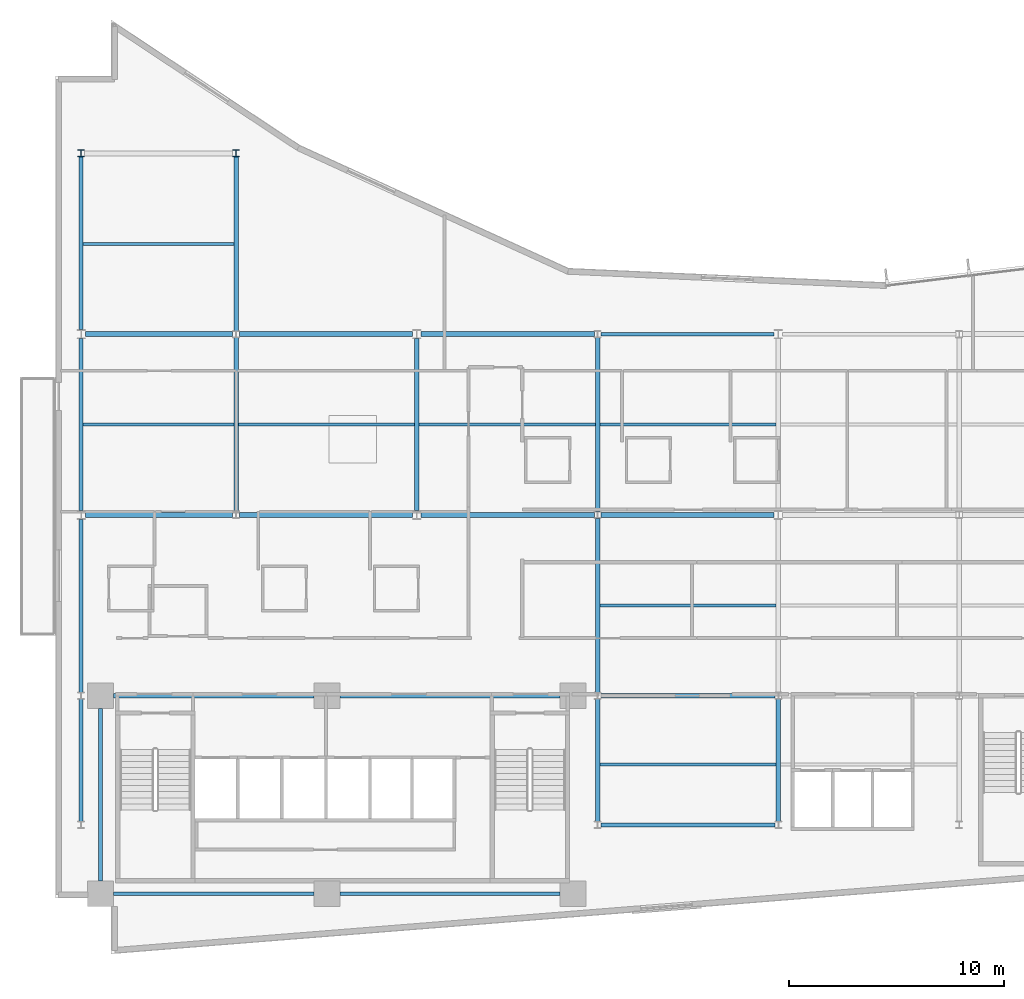
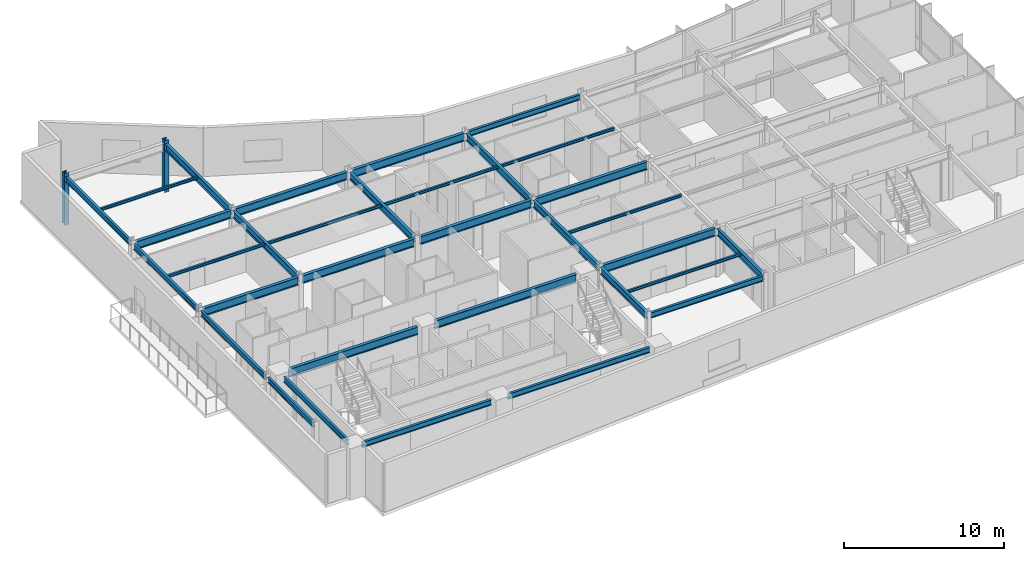
# One storey, part 3 of 19: 33 beams, 2 columns.
"""IFC4 building model written with IfcOpenShell, lengths in metres."""

import ifcopenshell
import ifcopenshell.guid

model = None  # the IFC model being written
_history = None  # IfcOwnerHistory: only IFC2X3 demands one
_inside = {}  # id of a spatial element -> (the spatial element, [elements in it])
_under = {}  # id of a project, library or spatial element -> (it, [spatial elements below it])
_declared = {}  # id of a project -> (the project, [libraries it declares])
_typed = {}  # id of a type object -> (the type object, [elements of that type])
_made_of = {}  # id of a material, layer set ... -> (it, [elements and type objects made of it])


def new_model(schema):
    """Start an empty IFC model of exactly this schema.

    Asked for "IFC4X3", IfcOpenShell would pick the latest addendum, in which some entities
    have other attributes; the version numbers below select the first issue.
    IFC2X3 requires an IfcOwnerHistory on every rooted entity: one is made here for all.
    """
    global model, _history
    if schema == "IFC4X3":
        model = ifcopenshell.file(schema_version=(4, 3, 0, 0))
    else:
        model = ifcopenshell.file(schema=schema)
    _inside.clear()
    _under.clear()
    _declared.clear()
    _typed.clear()
    _made_of.clear()
    _history = None
    if model.schema == "IFC2X3":
        org = make("IfcOrganization", Name="unknown")
        user = make(
            "IfcPersonAndOrganization",
            ThePerson=make("IfcPerson", FamilyName="unknown"),
            TheOrganization=org,
        )
        app = make(
            "IfcApplication",
            ApplicationDeveloper=org,
            Version="unknown",
            ApplicationFullName="unknown",
            ApplicationIdentifier="unknown",
        )
        _history = make(
            "IfcOwnerHistory",
            OwningUser=user,
            OwningApplication=app,
            ChangeAction="ADDED",
            CreationDate=0,
        )
    return model


def make(cls, **values):
    """One entity of the class cls with the attributes given. An attribute that is None is left unset."""
    return model.create_entity(
        cls, **{name: value for name, value in values.items() if value is not None}
    )


def rooted(cls, **values):
    """An entity with a GlobalId (a new one), such as an element, a storey or a relation."""
    return make(cls, GlobalId=ifcopenshell.guid.new(), OwnerHistory=_history, **values)


def si_unit(unit_type, name, prefix=None):
    """IfcSIUnit, for example si_unit("LENGTHUNIT", "METRE", prefix="MILLI")."""
    return make("IfcSIUnit", UnitType=unit_type, Prefix=prefix, Name=name)


def assignment(units):
    """IfcUnitAssignment: the units of a project."""
    return None if units is None else make("IfcUnitAssignment", Units=units)


def point(xyz):
    """IfcCartesianPoint."""
    return None if xyz is None else make("IfcCartesianPoint", Coordinates=xyz)


def direction(xyz):
    """IfcDirection."""
    return None if xyz is None else make("IfcDirection", DirectionRatios=xyz)


def frame(location, z_axis=None, x_axis=None):
    """IfcAxis2Placement3D, a coordinate frame: its origin and axes. An axis left out is left unset."""
    return make(
        "IfcAxis2Placement3D",
        Location=point(location),
        Axis=direction(z_axis),
        RefDirection=direction(x_axis),
    )


def frame_2d(location, x_axis=None):
    """IfcAxis2Placement2D, a coordinate frame in the plane: its origin and x axis."""
    return make(
        "IfcAxis2Placement2D", Location=point(location), RefDirection=direction(x_axis)
    )


def origin():
    """The frame at (0, 0, 0) with its axes left unset."""
    return frame((0.0, 0.0, 0.0))


def origin_2d():
    """The frame at (0, 0) in the plane with its x axis left unset."""
    return frame_2d((0.0, 0.0))


def place(relative_to, where):
    """IfcLocalPlacement: puts the frame where relative to a parent placement (None: the world)."""
    return make(
        "IfcLocalPlacement", PlacementRelTo=relative_to, RelativePlacement=where
    )


def context(
    kind, dimensions, precision=None, world=None, true_north=None, identifier=None
):
    """IfcGeometricRepresentationContext, for example the 3D "Model" context."""
    return make(
        "IfcGeometricRepresentationContext",
        ContextIdentifier=identifier,
        ContextType=kind,
        CoordinateSpaceDimension=dimensions,
        Precision=precision,
        WorldCoordinateSystem=world,
        TrueNorth=true_north,
    )


def subcontext(parent, identifier, kind, view, scale=None):
    """IfcGeometricRepresentationSubContext, for example "Body" below "Model"."""
    return make(
        "IfcGeometricRepresentationSubContext",
        ContextIdentifier=identifier,
        ContextType=kind,
        ParentContext=parent,
        TargetScale=scale,
        TargetView=view,
    )


def project(units=None, contexts=None):
    """IfcProject with its units and contexts."""
    return rooted(
        "IfcProject",
        Name="project",
        RepresentationContexts=contexts,
        UnitsInContext=assignment(units),
    )


def spatial(cls, under=None, at=None, **own):
    """A site, building, storey or space (cls), placed at a placement, below another one or the project."""
    s = rooted(cls, ObjectPlacement=at, **own)
    if under is not None:
        _under.setdefault(under.id(), (under, []))[1].append(s)
    return s


def profile(cls, at=None, kind="AREA", **sizes):
    """A parametric profile (cls). Its sizes go by their IFC names, for example OverallWidth=200.0."""
    return make(cls, ProfileType=kind, Position=at, **sizes)


def i_section(**sizes):
    """IfcIShapeProfileDef."""
    return profile("IfcIShapeProfileDef", **sizes)


def extrude(swept, where, along, depth):
    """IfcExtrudedAreaSolid: the profile swept, set in the frame where, extruded along a direction by depth."""
    return make(
        "IfcExtrudedAreaSolid",
        SweptArea=swept,
        Position=where,
        ExtrudedDirection=direction(along),
        Depth=depth,
    )


def shape(context_of_items, identifier, shape_type, items):
    """IfcShapeRepresentation: the items that make up one representation, for example the "Body"."""
    return make(
        "IfcShapeRepresentation",
        ContextOfItems=context_of_items,
        RepresentationIdentifier=identifier,
        RepresentationType=shape_type,
        Items=items,
    )


def material(Name=None, Category=None):
    """IfcMaterial."""
    return make("IfcMaterial", Name=Name, Category=Category)


def material_profile(
    of_material, cross_section, Name=None, Category=None, Priority=None
):
    """IfcMaterialProfile: a cross section and its material."""
    return make(
        "IfcMaterialProfile",
        Name=Name,
        Material=of_material,
        Profile=cross_section,
        Priority=Priority,
        Category=Category,
    )


def profile_set(profiles, Name=None, composite=None):
    """IfcMaterialProfileSet."""
    return make(
        "IfcMaterialProfileSet",
        Name=Name,
        MaterialProfiles=profiles,
        CompositeProfile=composite,
    )


def made_of(thing, what):
    """Note that an element or type object is made of a material, layer set ...; save() writes the relation."""
    if what is not None:
        _made_of.setdefault(what.id(), (what, []))[1].append(thing)
    return thing


def type_object(cls, material=None, **own):
    """A type object (cls), such as IfcWallType, which elements share."""
    return made_of(rooted(cls, **own), material)


def element(
    cls,
    number,
    at=None,
    inside=None,
    cuts=None,
    type_object=None,
    material=None,
    context=None,
    identifier="Body",
    shape_type=None,
    held_by="IfcProductDefinitionShape",
    body=None,
    shapes=None,
    **own,
):
    """One element of the class cls, such as IfcWall. Its Tag is "e" and its number.

    at: its placement. inside: the storey or other place that contains it. cuts: it is an
    opening in that element (IfcRelVoidsElement). A single representation is given by context,
    identifier, shape_type and body (its items); several are given by shapes. held_by: the class
    of the entity that holds the representations. save() writes the other relations.
    """
    e = rooted(cls, Tag="e%d" % number, ObjectPlacement=at, **own)
    if body is not None:
        shapes = [shape(context, identifier, shape_type, body)]
    if shapes is not None:
        e.Representation = make(held_by, Representations=shapes)
    if inside is not None:
        _inside.setdefault(inside.id(), (inside, []))[1].append(e)
    if cuts is not None:
        rooted(
            "IfcRelVoidsElement", RelatingBuildingElement=cuts, RelatedOpeningElement=e
        )
    if type_object is not None:
        _typed.setdefault(type_object.id(), (type_object, []))[1].append(e)
    return made_of(e, material)


def aggregate(whole, parts):
    """IfcRelAggregates: a whole, such as a stair, and the parts it consists of."""
    return rooted("IfcRelAggregates", RelatingObject=whole, RelatedObjects=parts)


def save(model, path):
    """Write the relations noted so far, then the file.

    IfcRelAggregates (storeys below a building ...), IfcRelContainedInSpatialStructure (elements
    in a storey), IfcRelDefinesByType, IfcRelAssociatesMaterial and IfcRelDeclares: one each for
    every whole, place, type object, material and project.
    """
    for whole, parts in _under.values():
        aggregate(whole, parts)
    for where, things in _inside.values():
        rooted(
            "IfcRelContainedInSpatialStructure",
            RelatedElements=things,
            RelatingStructure=where,
        )
    for kind, things in _typed.values():
        rooted("IfcRelDefinesByType", RelatedObjects=things, RelatingType=kind)
    for what, things in _made_of.values():
        rooted("IfcRelAssociatesMaterial", RelatedObjects=things, RelatingMaterial=what)
    for by, libraries in _declared.values():
        rooted("IfcRelDeclares", RelatingContext=by, RelatedDefinitions=libraries)
    model.write(path)


model = new_model("IFC4")

# Units and contexts
model_context = context("Model", 3, precision=1e-05, world=origin(), true_north=direction((0.0, 1.0)))
body_context = subcontext(model_context, "Body", "Model", "MODEL_VIEW")
ifc_project = project(units=[si_unit("LENGTHUNIT", "METRE"), si_unit("AREAUNIT", "SQUARE_METRE"), si_unit("VOLUMEUNIT", "CUBIC_METRE"), si_unit("PLANEANGLEUNIT", "RADIAN"), si_unit("MASSUNIT", "GRAM", prefix="KILO")], contexts=[model_context])

# Site, building, storey
site_placement = place(None, origin())
site = spatial("IfcSite", under=ifc_project, at=site_placement, CompositionType="ELEMENT")
building_placement = place(site_placement, origin())
building = spatial("IfcBuilding", under=site, at=building_placement, Name="Varnakote Quay Hospital", CompositionType="ELEMENT")
storey_placement = place(building_placement, frame((0.0, 0.0, 115.199951171875)))
storey = spatial("IfcBuildingStorey", under=building, at=storey_placement, Name="L28", CompositionType="ELEMENT", Elevation=115.199951171875)

# Columns
ifc_material_1 = material(Name="Structural steel AS/NZS 3679.1 Grade 350 L0 (fy 340 MPa)", Category="steel")
ifc_material_profile_1 = material_profile(ifc_material_1, i_section(OverallWidth=0.30908203125, OverallDepth=0.321044921875, WebThickness=0.013916015625, FlangeThickness=0.021728515625, FilletRadius=0.0166015625, at=origin_2d()), Name="310UC137")
ifc_profile_set_1 = profile_set([ifc_material_profile_1], Name="Structural steel AS/NZS 3679.1 Grade 350 L0 (fy 340 MPa)")
column_type = type_object("IfcColumnType", Name="COL-STL-310UC137", PredefinedType="COLUMN", material=ifc_profile_set_1)
for number, where, z_axis, x_axis, name in (
    (1, (1.199951171875, 37.199951171875, 0.0), (0.0, 0.0, 1.0), (1.0, 0.0, 0.0), "L28 Structural Column C-1-37"),
    (2, (8.39990234375, 37.199951171875, 0.0), (0.0, 0.0, 1.0), (1.0, 0.0, 0.0), "L28 Structural Column C-8-37"),
):
    element("IfcColumn", number, at=place(storey_placement, frame(where, z_axis=z_axis, x_axis=x_axis)), inside=storey, type_object=column_type, Name=name, PredefinedType="COLUMN", context=body_context, shape_type="SweptSolid", body=[
        extrude(i_section(OverallWidth=0.30908203125, OverallDepth=0.321044921875, WebThickness=0.013916015625, FlangeThickness=0.021728515625, FilletRadius=0.0166015625, at=origin_2d()), origin(), (0.0, 0.0, 1.0), 3.949951171875),
    ])

# Beams
ifc_material_2 = material(Name="Structural steel AS/NZS 3679.1 Grade 350 L0 (fy 340 MPa)", Category="steel")
ifc_material_profile_2 = material_profile(ifc_material_2, i_section(OverallWidth=0.208984375, OverallDepth=0.532958984375, WebThickness=0.01025390625, FlangeThickness=0.015625, FilletRadius=0.013916015625, at=origin_2d()), Name="530UB92.4")
ifc_profile_set_2 = profile_set([ifc_material_profile_2], Name="Structural steel AS/NZS 3679.1 Grade 350 L0 (fy 340 MPa)")
beam_type_1 = type_object("IfcBeamType", Name="BM-STL-530UB92-4", PredefinedType="BEAM", material=ifc_profile_set_2)
beam_1_placement = place(storey_placement, frame((8.39990234375, 20.560546875, 3.443603515625), z_axis=(0.0, 1.0, 0.0), x_axis=(-1.0, 0.0, 0.0)))
element("IfcBeam", 3, at=beam_1_placement, inside=storey, type_object=beam_type_1, Name="L28 Primary Tie Beam", PredefinedType="BEAM", context=body_context, shape_type="SweptSolid", body=[
    extrude(i_section(OverallWidth=0.208984375, OverallDepth=0.532958984375, WebThickness=0.01025390625, FlangeThickness=0.015625, FilletRadius=0.013916015625, at=origin_2d()), origin(), (0.0, 0.0, 1.0), 8.078857421875),
])
beam_2_placement = place(storey_placement, frame((8.39990234375, 28.96044921875, 3.443603515625), z_axis=(0.0, 1.0, 0.0), x_axis=(-1.0, 0.0, 0.0)))
element("IfcBeam", 4, at=beam_2_placement, inside=storey, type_object=beam_type_1, Name="L28 Primary Tie Beam", PredefinedType="BEAM", context=body_context, shape_type="SweptSolid", body=[
    extrude(i_section(OverallWidth=0.208984375, OverallDepth=0.532958984375, WebThickness=0.01025390625, FlangeThickness=0.015625, FilletRadius=0.013916015625, at=origin_2d()), origin(), (0.0, 0.0, 1.0), 8.0791015625),
])
beam_3_placement = place(storey_placement, frame((16.800048828125, 20.610107421875, 3.443603515625), z_axis=(0.0, 1.0, 0.0), x_axis=(-1.0, 0.0, 0.0)))
element("IfcBeam", 5, at=beam_3_placement, inside=storey, type_object=beam_type_1, Name="L28 Primary Tie Beam", PredefinedType="BEAM", context=body_context, shape_type="SweptSolid", body=[
    extrude(i_section(OverallWidth=0.208984375, OverallDepth=0.532958984375, WebThickness=0.01025390625, FlangeThickness=0.015625, FilletRadius=0.013916015625, at=origin_2d()), origin(), (0.0, 0.0, 1.0), 7.97998046875),
])
beam_4_placement = place(storey_placement, frame((25.199951171875, 6.160400390625, 3.443603515625), z_axis=(0.0, 1.0, 0.0), x_axis=(-1.0, 0.0, 0.0)))
element("IfcBeam", 6, at=beam_4_placement, inside=storey, type_object=beam_type_1, Name="L28 Primary Tie Beam", PredefinedType="BEAM", context=body_context, shape_type="SweptSolid", body=[
    extrude(i_section(OverallWidth=0.208984375, OverallDepth=0.532958984375, WebThickness=0.01025390625, FlangeThickness=0.015625, FilletRadius=0.013916015625, at=origin_2d()), origin(), (0.0, 0.0, 1.0), 5.67919921875),
])
beam_5_placement = place(storey_placement, frame((25.199951171875, 12.160400390625, 3.443603515625), z_axis=(0.0, 1.0, 0.0), x_axis=(-1.0, 0.0, 0.0)))
element("IfcBeam", 7, at=beam_5_placement, inside=storey, type_object=beam_type_1, Name="L28 Primary Tie Beam", PredefinedType="BEAM", context=body_context, shape_type="SweptSolid", body=[
    extrude(i_section(OverallWidth=0.208984375, OverallDepth=0.532958984375, WebThickness=0.01025390625, FlangeThickness=0.015625, FilletRadius=0.013916015625, at=origin_2d()), origin(), (0.0, 0.0, 1.0), 8.0791015625),
])
beam_6_placement = place(storey_placement, frame((25.199951171875, 20.560546875, 3.443603515625), z_axis=(0.0, 1.0, 0.0), x_axis=(-1.0, 0.0, 0.0)))
element("IfcBeam", 8, at=beam_6_placement, inside=storey, type_object=beam_type_1, Name="L28 Primary Tie Beam", PredefinedType="BEAM", context=body_context, shape_type="SweptSolid", body=[
    extrude(i_section(OverallWidth=0.208984375, OverallDepth=0.532958984375, WebThickness=0.01025390625, FlangeThickness=0.015625, FilletRadius=0.013916015625, at=origin_2d()), origin(), (0.0, 0.0, 1.0), 8.078857421875),
])
beam_7_placement = place(storey_placement, frame((33.60009765625, 6.160400390625, 3.443603515625), z_axis=(0.0, 1.0, 0.0), x_axis=(-1.0, 0.0, 0.0)))
element("IfcBeam", 9, at=beam_7_placement, inside=storey, type_object=beam_type_1, Name="L28 Primary Tie Beam", PredefinedType="BEAM", context=body_context, shape_type="SweptSolid", body=[
    extrude(i_section(OverallWidth=0.208984375, OverallDepth=0.532958984375, WebThickness=0.01025390625, FlangeThickness=0.015625, FilletRadius=0.013916015625, at=origin_2d()), origin(), (0.0, 0.0, 1.0), 5.67919921875),
])
ifc_material_3 = material(Name="Structural steel AS/NZS 3679.1 Grade 350 L0 (fy 340 MPa)", Category="steel")
ifc_material_profile_3 = material_profile(ifc_material_3, i_section(OverallWidth=0.22802734375, OverallDepth=0.60205078125, WebThickness=0.010498046875, FlangeThickness=0.014892578125, FilletRadius=0.013916015625, at=origin_2d()), Name="610UB101")
ifc_profile_set_3 = profile_set([ifc_material_profile_3], Name="Structural steel AS/NZS 3679.1 Grade 350 L0 (fy 340 MPa)")
beam_type_2 = type_object("IfcBeamType", Name="BM-STL-610UB101", PredefinedType="BEAM", material=ifc_profile_set_3)
beam_8_placement = place(storey_placement, frame((2.699951171875, 12.0, 3.408935546875), z_axis=(1.0, 0.0, 0.0), x_axis=(0.0, 1.0, 0.0)))
element("IfcBeam", 10, at=beam_8_placement, inside=storey, type_object=beam_type_2, Name="L28 Primary Floor Beam", PredefinedType="BEAM", context=body_context, shape_type="SweptSolid", body=[
    extrude(i_section(OverallWidth=0.22802734375, OverallDepth=0.60205078125, WebThickness=0.010498046875, FlangeThickness=0.014892578125, FilletRadius=0.013916015625, at=origin_2d()), origin(), (0.0, 0.0, 1.0), 9.320068359375),
])
beam_9_placement = place(storey_placement, frame((13.219970703125, 12.0, 3.408935546875), z_axis=(1.0, 0.0, 0.0), x_axis=(0.0, 1.0, 0.0)))
element("IfcBeam", 11, at=beam_9_placement, inside=storey, type_object=beam_type_2, Name="L28 Primary Floor Beam", PredefinedType="BEAM", context=body_context, shape_type="SweptSolid", body=[
    extrude(i_section(OverallWidth=0.22802734375, OverallDepth=0.60205078125, WebThickness=0.010498046875, FlangeThickness=0.014892578125, FilletRadius=0.013916015625, at=origin_2d()), origin(), (0.0, 0.0, 1.0), 10.22998046875),
])
beam_10_placement = place(storey_placement, frame((25.3544921875, 12.0, 3.408935546875), z_axis=(1.0, 0.0, 0.0), x_axis=(0.0, 1.0, 0.0)))
element("IfcBeam", 12, at=beam_10_placement, inside=storey, type_object=beam_type_2, Name="L28 Primary Floor Beam", PredefinedType="BEAM", context=body_context, shape_type="SweptSolid", body=[
    extrude(i_section(OverallWidth=0.22802734375, OverallDepth=0.60205078125, WebThickness=0.010498046875, FlangeThickness=0.014892578125, FilletRadius=0.013916015625, at=origin_2d()), origin(), (0.0, 0.0, 1.0), 8.091064453125),
])
beam_11_placement = place(storey_placement, frame((1.39990234375, 20.39990234375, 3.408935546875), z_axis=(1.0, 0.0, 0.0), x_axis=(0.0, 1.0, 0.0)))
element("IfcBeam", 13, at=beam_11_placement, inside=storey, type_object=beam_type_2, Name="L28 Primary Floor Beam", PredefinedType="BEAM", context=body_context, shape_type="SweptSolid", body=[
    extrude(i_section(OverallWidth=0.22802734375, OverallDepth=0.60205078125, WebThickness=0.010498046875, FlangeThickness=0.014892578125, FilletRadius=0.013916015625, at=origin_2d()), origin(), (0.0, 0.0, 1.0), 6.845703125),
])
beam_12_placement = place(storey_placement, frame((8.554443359375, 20.39990234375, 3.408935546875), z_axis=(1.0, 0.0, 0.0), x_axis=(0.0, 1.0, 0.0)))
element("IfcBeam", 14, at=beam_12_placement, inside=storey, type_object=beam_type_2, Name="L28 Primary Floor Beam", PredefinedType="BEAM", context=body_context, shape_type="SweptSolid", body=[
    extrude(i_section(OverallWidth=0.22802734375, OverallDepth=0.60205078125, WebThickness=0.010498046875, FlangeThickness=0.014892578125, FilletRadius=0.013916015625, at=origin_2d()), origin(), (0.0, 0.0, 1.0), 8.045654296875),
])
for number, where, z_axis, x_axis, name in (
    (15, (17.0, 20.39990234375, 3.408935546875), (1.0, 0.0, 0.0), (0.0, 1.0, 0.0), "L28 Primary Floor Beam"),
    (16, (25.3544921875, 20.39990234375, 3.408935546875), (1.0, 0.0, 0.0), (0.0, 1.0, 0.0), "L28 Primary Floor Beam"),
):
    element("IfcBeam", number, at=place(storey_placement, frame(where, z_axis=z_axis, x_axis=x_axis)), inside=storey, type_object=beam_type_2, Name=name, PredefinedType="BEAM", context=body_context, shape_type="SweptSolid", body=[
        extrude(i_section(OverallWidth=0.22802734375, OverallDepth=0.60205078125, WebThickness=0.010498046875, FlangeThickness=0.014892578125, FilletRadius=0.013916015625, at=origin_2d()), origin(), (0.0, 0.0, 1.0), 8.04541015625),
    ])
beam_13_placement = place(storey_placement, frame((1.39990234375, 28.800048828125, 3.408935546875), z_axis=(1.0, 0.0, 0.0), x_axis=(0.0, 1.0, 0.0)))
element("IfcBeam", 17, at=beam_13_placement, inside=storey, type_object=beam_type_2, Name="L28 Primary Floor Beam", PredefinedType="BEAM", context=body_context, shape_type="SweptSolid", body=[
    extrude(i_section(OverallWidth=0.22802734375, OverallDepth=0.60205078125, WebThickness=0.010498046875, FlangeThickness=0.014892578125, FilletRadius=0.013916015625, at=origin_2d()), origin(), (0.0, 0.0, 1.0), 6.845703125),
])
beam_14_placement = place(storey_placement, frame((8.554443359375, 28.800048828125, 3.408935546875), z_axis=(1.0, 0.0, 0.0), x_axis=(0.0, 1.0, 0.0)))
element("IfcBeam", 18, at=beam_14_placement, inside=storey, type_object=beam_type_2, Name="L28 Primary Floor Beam", PredefinedType="BEAM", context=body_context, shape_type="SweptSolid", body=[
    extrude(i_section(OverallWidth=0.22802734375, OverallDepth=0.60205078125, WebThickness=0.010498046875, FlangeThickness=0.014892578125, FilletRadius=0.013916015625, at=origin_2d()), origin(), (0.0, 0.0, 1.0), 8.045654296875),
])
beam_15_placement = place(storey_placement, frame((17.0, 28.800048828125, 3.408935546875), z_axis=(1.0, 0.0, 0.0), x_axis=(0.0, 1.0, 0.0)))
element("IfcBeam", 19, at=beam_15_placement, inside=storey, type_object=beam_type_2, Name="L28 Primary Floor Beam", PredefinedType="BEAM", context=body_context, shape_type="SweptSolid", body=[
    extrude(i_section(OverallWidth=0.22802734375, OverallDepth=0.60205078125, WebThickness=0.010498046875, FlangeThickness=0.014892578125, FilletRadius=0.013916015625, at=origin_2d()), origin(), (0.0, 0.0, 1.0), 8.04541015625),
])
ifc_material_4 = material(Name="Structural steel AS/NZS 3679.1 Grade 350 L0 (fy 340 MPa)", Category="steel")
ifc_material_profile_4 = material_profile(ifc_material_4, i_section(OverallWidth=0.134033203125, OverallDepth=0.20703125, WebThickness=0.00634765625, FlangeThickness=0.009521484375, FilletRadius=0.0087890625, at=origin_2d()), Name="200UB29.8")
ifc_profile_set_4 = profile_set([ifc_material_profile_4], Name="Structural steel AS/NZS 3679.1 Grade 350 L0 (fy 340 MPa)")
beam_type_3 = type_object("IfcBeamType", Name="JST-STL-200UB29-8", PredefinedType="JOIST", material=ifc_profile_set_4)
for number, where, z_axis, x_axis, name in (
    (20, (25.304443359375, 8.800048828125, 3.6064453125), (1.0, 0.0, 0.0), (0.0, 1.0, 0.0), "L28 Composite Floor Joist"),
    (21, (25.304443359375, 16.199951171875, 3.6064453125), (1.0, 0.0, 0.0), (0.0, 1.0, 0.0), "L28 Composite Floor Joist"),
):
    element("IfcBeam", number, at=place(storey_placement, frame(where, z_axis=z_axis, x_axis=x_axis)), inside=storey, type_object=beam_type_3, Name=name, PredefinedType="JOIST", context=body_context, shape_type="SweptSolid", body=[
        extrude(i_section(OverallWidth=0.134033203125, OverallDepth=0.20703125, WebThickness=0.00634765625, FlangeThickness=0.009521484375, FilletRadius=0.0087890625, at=origin_2d()), origin(), (0.0, 0.0, 1.0), 8.191162109375),
    ])
beam_16_placement = place(storey_placement, frame((1.2890625, 24.60009765625, 3.6064453125), z_axis=(1.0, 0.0, 0.0), x_axis=(0.0, 1.0, 0.0)))
element("IfcBeam", 22, at=beam_16_placement, inside=storey, type_object=beam_type_3, Name="L28 Composite Floor Joist", PredefinedType="JOIST", context=body_context, shape_type="SweptSolid", body=[
    extrude(i_section(OverallWidth=0.134033203125, OverallDepth=0.20703125, WebThickness=0.00634765625, FlangeThickness=0.009521484375, FilletRadius=0.0087890625, at=origin_2d()), origin(), (0.0, 0.0, 1.0), 7.00634765625),
])
beam_17_placement = place(storey_placement, frame((8.50439453125, 24.60009765625, 3.6064453125), z_axis=(1.0, 0.0, 0.0), x_axis=(0.0, 1.0, 0.0)))
element("IfcBeam", 23, at=beam_17_placement, inside=storey, type_object=beam_type_3, Name="L28 Composite Floor Joist", PredefinedType="JOIST", context=body_context, shape_type="SweptSolid", body=[
    extrude(i_section(OverallWidth=0.134033203125, OverallDepth=0.20703125, WebThickness=0.00634765625, FlangeThickness=0.009521484375, FilletRadius=0.0087890625, at=origin_2d()), origin(), (0.0, 0.0, 1.0), 8.191162109375),
])
beam_18_placement = place(storey_placement, frame((16.904541015625, 24.60009765625, 3.6064453125), z_axis=(1.0, 0.0, 0.0), x_axis=(0.0, 1.0, 0.0)))
element("IfcBeam", 24, at=beam_18_placement, inside=storey, type_object=beam_type_3, Name="L28 Composite Floor Joist", PredefinedType="JOIST", context=body_context, shape_type="SweptSolid", body=[
    extrude(i_section(OverallWidth=0.134033203125, OverallDepth=0.20703125, WebThickness=0.00634765625, FlangeThickness=0.009521484375, FilletRadius=0.0087890625, at=origin_2d()), origin(), (0.0, 0.0, 1.0), 8.19091796875),
])
beam_19_placement = place(storey_placement, frame((25.304443359375, 24.60009765625, 3.6064453125), z_axis=(1.0, 0.0, 0.0), x_axis=(0.0, 1.0, 0.0)))
element("IfcBeam", 25, at=beam_19_placement, inside=storey, type_object=beam_type_3, Name="L28 Composite Floor Joist", PredefinedType="JOIST", context=body_context, shape_type="SweptSolid", body=[
    extrude(i_section(OverallWidth=0.134033203125, OverallDepth=0.20703125, WebThickness=0.00634765625, FlangeThickness=0.009521484375, FilletRadius=0.0087890625, at=origin_2d()), origin(), (0.0, 0.0, 1.0), 8.191162109375),
])
beam_20_placement = place(storey_placement, frame((1.2890625, 33.0, 3.6064453125), z_axis=(1.0, 0.0, 0.0), x_axis=(0.0, 1.0, 0.0)))
element("IfcBeam", 26, at=beam_20_placement, inside=storey, type_object=beam_type_3, Name="L28 Composite Floor Joist", PredefinedType="JOIST", context=body_context, shape_type="SweptSolid", body=[
    extrude(i_section(OverallWidth=0.134033203125, OverallDepth=0.20703125, WebThickness=0.00634765625, FlangeThickness=0.009521484375, FilletRadius=0.0087890625, at=origin_2d()), origin(), (0.0, 0.0, 1.0), 7.00634765625),
])
ifc_material_5 = material(Name="Structural steel AS/NZS 3679.1 Grade 350 L0 (fy 340 MPa)", Category="steel")
ifc_material_profile_5 = material_profile(ifc_material_5, i_section(OverallWidth=0.177978515625, OverallDepth=0.403076171875, WebThickness=0.007568359375, FlangeThickness=0.010986328125, FilletRadius=0.011474609375, at=origin_2d()), Name="410UB53.7")
ifc_profile_set_5 = profile_set([ifc_material_profile_5], Name="Structural steel AS/NZS 3679.1 Grade 350 L0 (fy 340 MPa)")
beam_type_4 = type_object("IfcBeamType", Name="SPN-STL-410UB53-7", PredefinedType="SPANDREL", material=ifc_profile_set_5)
beam_21_placement = place(storey_placement, frame((1.199951171875, 6.160400390625, 3.508544921875), z_axis=(0.0, 1.0, 0.0), x_axis=(-1.0, 0.0, 0.0)))
element("IfcBeam", 27, at=beam_21_placement, inside=storey, type_object=beam_type_4, Name="L28 Perimeter Spandrel Beam", PredefinedType="SPANDREL", context=body_context, shape_type="SweptSolid", body=[
    extrude(i_section(OverallWidth=0.177978515625, OverallDepth=0.403076171875, WebThickness=0.007568359375, FlangeThickness=0.010986328125, FilletRadius=0.011474609375, at=origin_2d()), origin(), (0.0, 0.0, 1.0), 5.67919921875),
])
beam_22_placement = place(storey_placement, frame((1.199951171875, 12.160400390625, 3.508544921875), z_axis=(0.0, 1.0, 0.0), x_axis=(-1.0, 0.0, 0.0)))
element("IfcBeam", 28, at=beam_22_placement, inside=storey, type_object=beam_type_4, Name="L28 Perimeter Spandrel Beam", PredefinedType="SPANDREL", context=body_context, shape_type="SweptSolid", body=[
    extrude(i_section(OverallWidth=0.177978515625, OverallDepth=0.403076171875, WebThickness=0.007568359375, FlangeThickness=0.010986328125, FilletRadius=0.011474609375, at=origin_2d()), origin(), (0.0, 0.0, 1.0), 8.029541015625),
])
beam_23_placement = place(storey_placement, frame((1.199951171875, 20.610107421875, 3.508544921875), z_axis=(0.0, 1.0, 0.0), x_axis=(-1.0, 0.0, 0.0)))
element("IfcBeam", 29, at=beam_23_placement, inside=storey, type_object=beam_type_4, Name="L28 Perimeter Spandrel Beam", PredefinedType="SPANDREL", context=body_context, shape_type="SweptSolid", body=[
    extrude(i_section(OverallWidth=0.177978515625, OverallDepth=0.403076171875, WebThickness=0.007568359375, FlangeThickness=0.010986328125, FilletRadius=0.011474609375, at=origin_2d()), origin(), (0.0, 0.0, 1.0), 7.97998046875),
])
beam_24_placement = place(storey_placement, frame((1.199951171875, 29.010009765625, 3.508544921875), z_axis=(0.0, 1.0, 0.0), x_axis=(-1.0, 0.0, 0.0)))
element("IfcBeam", 30, at=beam_24_placement, inside=storey, type_object=beam_type_4, Name="L28 Perimeter Spandrel Beam", PredefinedType="SPANDREL", context=body_context, shape_type="SweptSolid", body=[
    extrude(i_section(OverallWidth=0.177978515625, OverallDepth=0.403076171875, WebThickness=0.007568359375, FlangeThickness=0.010986328125, FilletRadius=0.011474609375, at=origin_2d()), origin(), (0.0, 0.0, 1.0), 8.029541015625),
])
beam_25_placement = place(storey_placement, frame((2.10009765625, 3.39990234375, 3.508544921875), z_axis=(0.0, 1.0, 0.0), x_axis=(-1.0, 0.0, 0.0)))
element("IfcBeam", 31, at=beam_25_placement, inside=storey, type_object=beam_type_4, Name="L28 Perimeter Spandrel Beam", PredefinedType="SPANDREL", context=body_context, shape_type="SweptSolid", body=[
    extrude(i_section(OverallWidth=0.177978515625, OverallDepth=0.403076171875, WebThickness=0.007568359375, FlangeThickness=0.010986328125, FilletRadius=0.011474609375, at=origin_2d()), origin(), (0.0, 0.0, 1.0), 8.0),
])
ifc_material_6 = material(Name="Structural steel AS/NZS 3679.1 Grade 350 L0 (fy 340 MPa)", Category="steel")
ifc_material_profile_6 = material_profile(ifc_material_6, i_section(OverallWidth=0.177978515625, OverallDepth=0.406005859375, WebThickness=0.0078125, FlangeThickness=0.0126953125, FilletRadius=0.011474609375, at=origin_2d()), Name="410UB59.7")
ifc_profile_set_6 = profile_set([ifc_material_profile_6], Name="Structural steel AS/NZS 3679.1 Grade 350 L0 (fy 340 MPa)")
beam_type_5 = type_object("IfcBeamType", Name="SPN-STL-410UB59-7", PredefinedType="SPANDREL", material=ifc_profile_set_6)
beam_26_placement = place(storey_placement, frame((2.699951171875, 2.800048828125, 3.507080078125), z_axis=(1.0, 0.0, 0.0), x_axis=(0.0, 1.0, 0.0)))
element("IfcBeam", 32, at=beam_26_placement, inside=storey, type_object=beam_type_5, Name="L28 Perimeter Spandrel Beam", PredefinedType="SPANDREL", context=body_context, shape_type="SweptSolid", body=[
    extrude(i_section(OverallWidth=0.177978515625, OverallDepth=0.406005859375, WebThickness=0.0078125, FlangeThickness=0.0126953125, FilletRadius=0.011474609375, at=origin_2d()), origin(), (0.0, 0.0, 1.0), 9.320068359375),
])
beam_27_placement = place(storey_placement, frame((13.219970703125, 2.800048828125, 3.507080078125), z_axis=(1.0, 0.0, 0.0), x_axis=(0.0, 1.0, 0.0)))
element("IfcBeam", 33, at=beam_27_placement, inside=storey, type_object=beam_type_5, Name="L28 Perimeter Spandrel Beam", PredefinedType="SPANDREL", context=body_context, shape_type="SweptSolid", body=[
    extrude(i_section(OverallWidth=0.177978515625, OverallDepth=0.406005859375, WebThickness=0.0078125, FlangeThickness=0.0126953125, FilletRadius=0.011474609375, at=origin_2d()), origin(), (0.0, 0.0, 1.0), 10.22998046875),
])
beam_28_placement = place(storey_placement, frame((25.3544921875, 6.0, 3.507080078125), z_axis=(1.0, 0.0, 0.0), x_axis=(0.0, 1.0, 0.0)))
element("IfcBeam", 34, at=beam_28_placement, inside=storey, type_object=beam_type_5, Name="L28 Perimeter Spandrel Beam", PredefinedType="SPANDREL", context=body_context, shape_type="SweptSolid", body=[
    extrude(i_section(OverallWidth=0.177978515625, OverallDepth=0.406005859375, WebThickness=0.0078125, FlangeThickness=0.0126953125, FilletRadius=0.011474609375, at=origin_2d()), origin(), (0.0, 0.0, 1.0), 8.091064453125),
])
beam_29_placement = place(storey_placement, frame((25.3544921875, 28.800048828125, 3.507080078125), z_axis=(1.0, 0.0, 0.0), x_axis=(0.0, 1.0, 0.0)))
element("IfcBeam", 35, at=beam_29_placement, inside=storey, type_object=beam_type_5, Name="L28 Perimeter Spandrel Beam", PredefinedType="SPANDREL", context=body_context, shape_type="SweptSolid", body=[
    extrude(i_section(OverallWidth=0.177978515625, OverallDepth=0.406005859375, WebThickness=0.0078125, FlangeThickness=0.0126953125, FilletRadius=0.011474609375, at=origin_2d()), origin(), (0.0, 0.0, 1.0), 8.04541015625),
])

save(model, "model.ifc")
